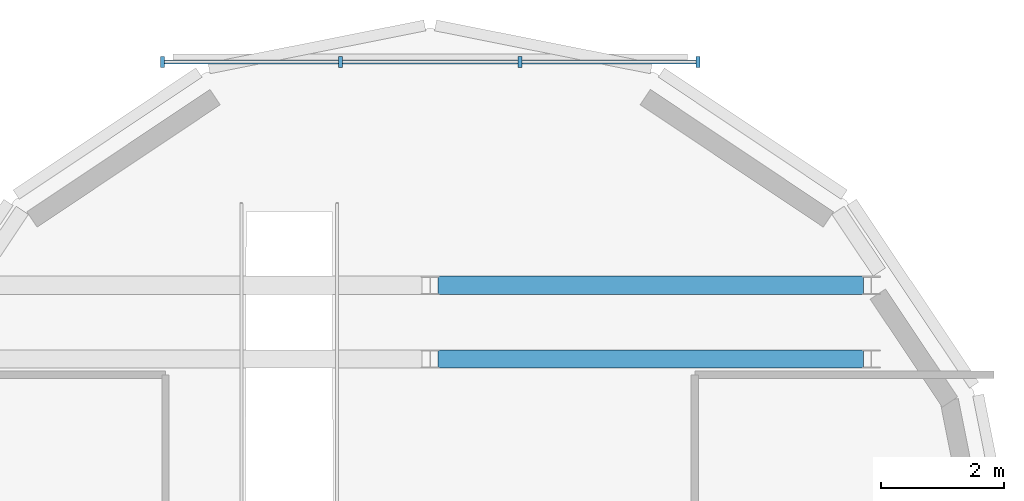
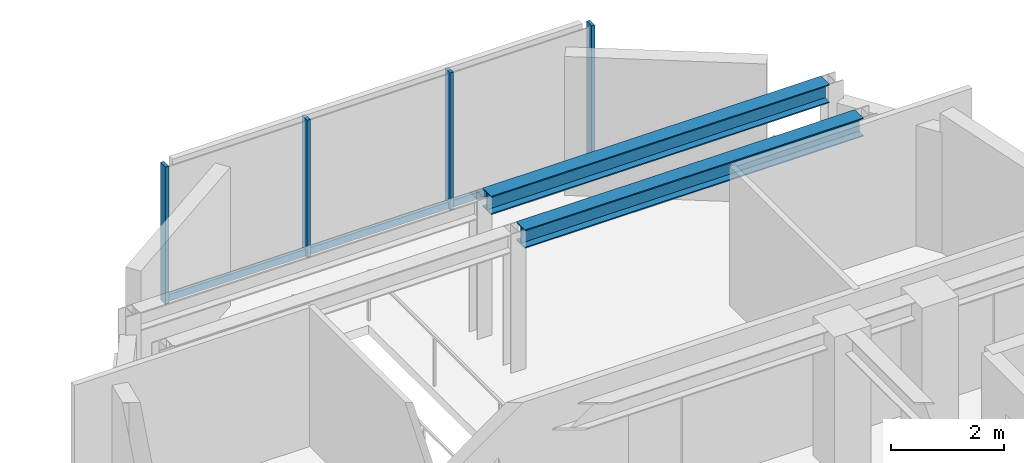
# One storey, part 6 of 12: 7 members, 2 beams, 1 element without a shape of its own.
"""IFC4 building model written with IfcOpenShell, lengths in metres."""

from ifc_helpers import new_model, si_unit, direction, frame, origin, origin_2d, place, context, subcontext, project, spatial, rectangle, i_section, extrude, source, transform, mapped, material, material_profile, profile_set, type_object, element, aggregate, save


model = new_model("IFC4")

# Units and contexts
model_context = context("Model", 3, precision=1e-05, world=origin(), true_north=direction((0.0, 1.0)))
body_context = subcontext(model_context, "Body", "Model", "MODEL_VIEW")
ifc_project = project(units=[si_unit("LENGTHUNIT", "METRE"), si_unit("AREAUNIT", "SQUARE_METRE"), si_unit("VOLUMEUNIT", "CUBIC_METRE"), si_unit("PLANEANGLEUNIT", "RADIAN"), si_unit("MASSUNIT", "GRAM", prefix="KILO")], contexts=[model_context])

# Site, building, storey
site_placement = place(None, origin())
site = spatial("IfcSite", under=ifc_project, at=site_placement, CompositionType="ELEMENT")
building_placement = place(site_placement, origin())
building = spatial("IfcBuilding", under=site, at=building_placement, Name="Keilestroom Media Tower", CompositionType="ELEMENT")
storey_placement = place(building_placement, frame((0.0, 0.0, 223.60009765625)))
storey = spatial("IfcBuildingStorey", under=building, at=storey_placement, Name="L61", CompositionType="ELEMENT", Elevation=223.60009765625)

# Beams
ifc_material_1 = material(Name="Steel S355", Category="steel")
ifc_material_profile_1 = material_profile(ifc_material_1, i_section(OverallWidth=0.300048828125, OverallDepth=0.39990234375, WebThickness=0.011474609375, FlangeThickness=0.02392578125, at=origin_2d()), Name="HEB 400")
ifc_profile_set_1 = profile_set([ifc_material_profile_1], Name="Steel S355")
beam_type = type_object("IfcBeamType", Name="Primary-Structural-Girder-HEB-400", PredefinedType="BEAM", material=ifc_profile_set_1)
shared_shape_1 = source(origin(), body_context, "Body", "SweptSolid", [
    extrude(i_section(OverallWidth=0.300048828125, OverallDepth=0.39990234375, WebThickness=0.011474609375, FlangeThickness=0.02392578125, at=origin_2d()), origin(), (0.0, 0.0, 1.0), 6.940185546875),
])
for number, where, z_axis, x_axis, name in (
    (1, (0.1298828125, 14.39990234375, 2.809814453125), (1.0, 0.0, 0.0), (0.0, 1.0, 0.0), "L61 Beam BG-8 BM-L61-EW-022"),
    (2, (0.1298828125, 15.60009765625, 2.809814453125), (1.0, 0.0, 0.0), (0.0, 1.0, 0.0), "L61 Beam BG-8 BM-L61-EW-024"),
):
    element("IfcBeam", number, at=place(storey_placement, frame(where, z_axis=z_axis, x_axis=x_axis)), inside=storey, type_object=beam_type, Name=name, PredefinedType="BEAM", context=body_context, shape_type="MappedRepresentation", body=[
        mapped(shared_shape_1, transform((0.0, 0.0, 0.0), x_axis=(1.0, 0.0, 0.0), y_axis=(0.0, 1.0, 0.0), z_axis=(0.0, 0.0, 1.0), scale=1.0)),
    ])

# Curtain wall, members
ifc_material_2 = material(Name="Anodised Aluminium Alloy", Category="aluminium")
curtain_wall_type = type_object("IfcCurtainWallType", Name="Unitised-Curtain-Wall-CW-6", PredefinedType="NOTDEFINED", material=ifc_material_2)
curtain_wall_placement = place(storey_placement, origin())
curtain_wall = element("IfcCurtainWall", 3, at=curtain_wall_placement, inside=storey, type_object=curtain_wall_type, Name="L61 Curtain Wall CW-6 CW-L61-LN-1", PredefinedType="NOTDEFINED")
ifc_material_profile_2 = material_profile(ifc_material_2, rectangle(XDim=0.06494140625, YDim=0.179931640625, at=origin_2d()), Name="ALU MULLION 65x180")
ifc_profile_set_2 = profile_set([ifc_material_profile_2], Name="Anodised Aluminium Alloy")
member_type_1 = type_object("IfcMemberType", Name="Curtain-Wall-Mullion-CW-6", PredefinedType="MULLION", material=ifc_profile_set_2)
shared_shape_2 = source(origin(), body_context, "Body", "SweptSolid", [
    extrude(rectangle(XDim=0.06494140625, YDim=0.179931640625, at=origin_2d()), origin(), (0.0, 0.0, 1.0), 2.97998046875),
])
member_1_placement = place(storey_placement, frame((-4.367431640625, 19.25, 0.0), z_axis=(0.0, 0.0, 1.0), x_axis=(1.0, 0.0, 0.0)))
member_1 = element("IfcMember", 4, at=member_1_placement, type_object=member_type_1, Name="CW-6 Mullion 00", PredefinedType="MULLION", context=body_context, shape_type="MappedRepresentation", body=[
    mapped(shared_shape_2, transform((0.0, 0.0, 0.0), x_axis=(1.0, 0.0, 0.0), y_axis=(0.0, 1.0, 0.0), z_axis=(0.0, 0.0, 1.0), scale=1.0)),
])
member_2_placement = place(storey_placement, frame((-1.466796875, 19.25, 0.0), z_axis=(0.0, 0.0, 1.0), x_axis=(1.0, 0.0, 0.0)))
member_2 = element("IfcMember", 5, at=member_2_placement, type_object=member_type_1, Name="CW-6 Mullion 01", PredefinedType="MULLION", context=body_context, shape_type="MappedRepresentation", body=[
    mapped(shared_shape_2, transform((0.0, 0.0, 0.0), x_axis=(1.0, 0.0, 0.0), y_axis=(0.0, 1.0, 0.0), z_axis=(0.0, 0.0, 1.0), scale=1.0)),
])
member_3_placement = place(storey_placement, frame((1.466796875, 19.25, 0.0), z_axis=(0.0, 0.0, 1.0), x_axis=(1.0, 0.0, 0.0)))
member_3 = element("IfcMember", 6, at=member_3_placement, type_object=member_type_1, Name="CW-6 Mullion 02", PredefinedType="MULLION", context=body_context, shape_type="MappedRepresentation", body=[
    mapped(shared_shape_2, transform((0.0, 0.0, 0.0), x_axis=(1.0, 0.0, 0.0), y_axis=(0.0, 1.0, 0.0), z_axis=(0.0, 0.0, 1.0), scale=1.0)),
])
member_4_placement = place(storey_placement, frame((4.367431640625, 19.25, 0.0), z_axis=(0.0, 0.0, 1.0), x_axis=(1.0, 0.0, 0.0)))
member_4 = element("IfcMember", 7, at=member_4_placement, type_object=member_type_1, Name="CW-6 Mullion 03", PredefinedType="MULLION", context=body_context, shape_type="MappedRepresentation", body=[
    mapped(shared_shape_2, transform((0.0, 0.0, 0.0), x_axis=(1.0, 0.0, 0.0), y_axis=(0.0, 1.0, 0.0), z_axis=(0.0, 0.0, 1.0), scale=1.0)),
])
ifc_material_profile_3 = material_profile(ifc_material_2, rectangle(XDim=0.06494140625, YDim=0.14990234375, at=origin_2d()), Name="ALU TRANSOM 65x150")
ifc_profile_set_3 = profile_set([ifc_material_profile_3], Name="Anodised Aluminium Alloy")
member_type_2 = type_object("IfcMemberType", Name="Curtain-Wall-Transom-CW-6", PredefinedType="USERDEFINED", material=ifc_profile_set_3)
shared_shape_3 = source(origin(), body_context, "Body", "SweptSolid", [
    extrude(rectangle(XDim=0.06494140625, YDim=0.14990234375, at=origin_2d()), origin(), (0.0, 0.0, 1.0), 2.839599609375),
])
member_5_placement = place(storey_placement, frame((-4.3369140625, 19.25, 0.074951171875), z_axis=(1.0, 0.0, 0.0), x_axis=(0.0, 1.0, 0.0)))
member_5 = element("IfcMember", 8, at=member_5_placement, type_object=member_type_2, Name="CW-6 Transom 00.1", ObjectType="TRANSOM", PredefinedType="USERDEFINED", context=body_context, shape_type="MappedRepresentation", body=[
    mapped(shared_shape_3, transform((0.0, 0.0, 0.0), x_axis=(1.0, 0.0, 0.0), y_axis=(0.0, 1.0, 0.0), z_axis=(0.0, 0.0, 1.0), scale=1.0)),
])
member_6_placement = place(storey_placement, frame((1.497314453125, 19.25, 0.074951171875), z_axis=(1.0, 0.0, 0.0), x_axis=(0.0, 1.0, 0.0)))
member_6 = element("IfcMember", 9, at=member_6_placement, type_object=member_type_2, Name="CW-6 Transom 02.1", ObjectType="TRANSOM", PredefinedType="USERDEFINED", context=body_context, shape_type="MappedRepresentation", body=[
    mapped(shared_shape_3, transform((0.0, 0.0, 0.0), x_axis=(1.0, 0.0, 0.0), y_axis=(0.0, 1.0, 0.0), z_axis=(0.0, 0.0, 1.0), scale=1.0)),
])
shared_shape_4 = source(origin(), body_context, "Body", "SweptSolid", [
    extrude(rectangle(XDim=0.06494140625, YDim=0.14990234375, at=origin_2d()), origin(), (0.0, 0.0, 1.0), 2.87255859375),
])
member_7_placement = place(storey_placement, frame((-1.436279296875, 19.25, 0.074951171875), z_axis=(1.0, 0.0, 0.0), x_axis=(0.0, 1.0, 0.0)))
member_7 = element("IfcMember", 10, at=member_7_placement, type_object=member_type_2, Name="CW-6 Transom 01.1", ObjectType="TRANSOM", PredefinedType="USERDEFINED", context=body_context, shape_type="MappedRepresentation", body=[
    mapped(shared_shape_4, transform((0.0, 0.0, 0.0), x_axis=(1.0, 0.0, 0.0), y_axis=(0.0, 1.0, 0.0), z_axis=(0.0, 0.0, 1.0), scale=1.0)),
])
aggregate(curtain_wall, [member_1, member_2, member_3, member_4, member_5, member_7, member_6])

save(model, "model.ifc")
